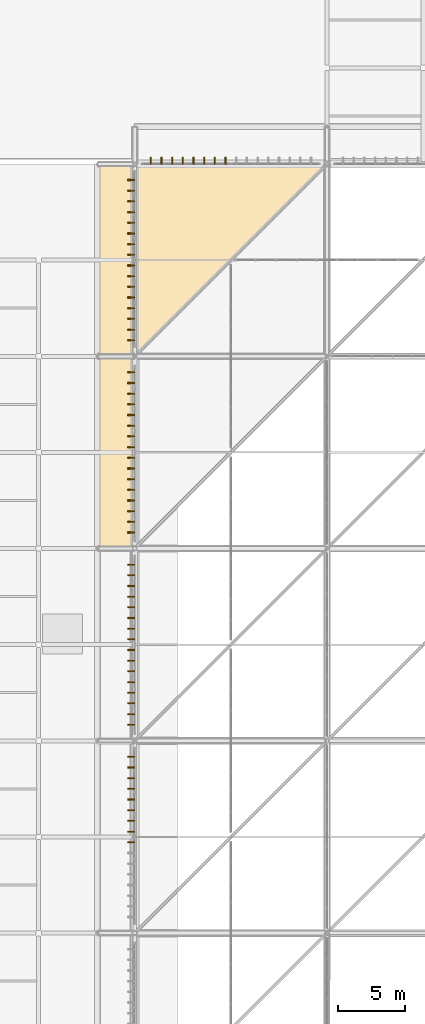
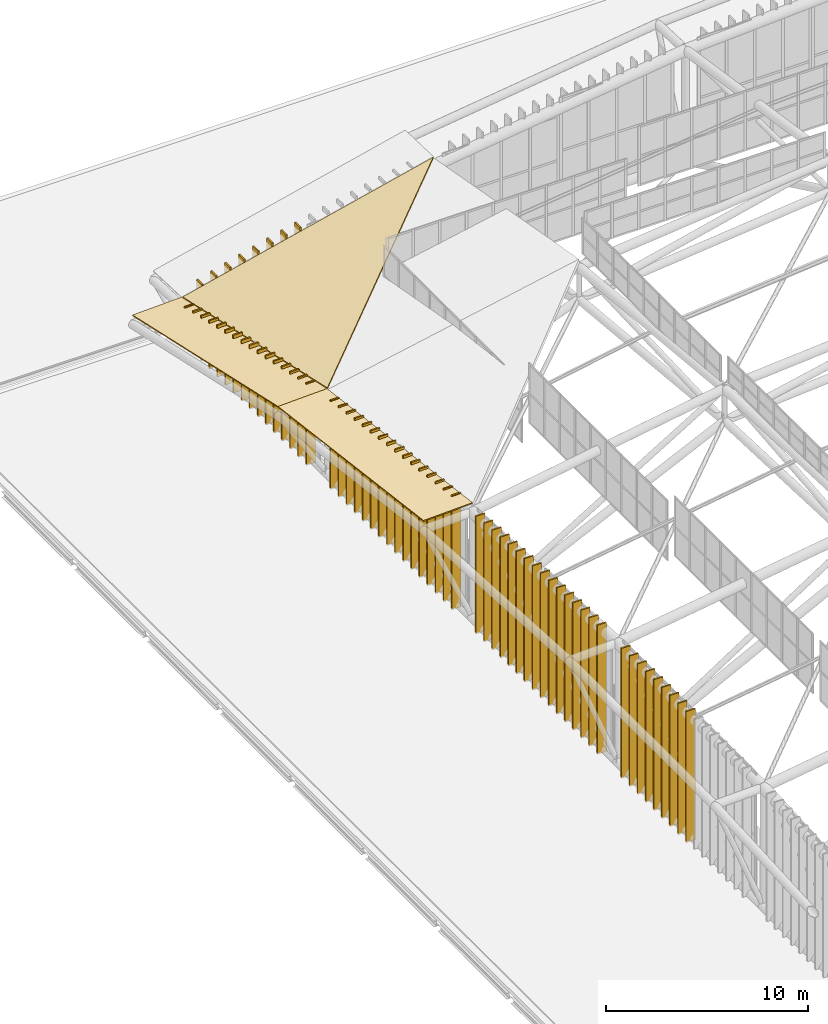
# One storey, part 392 of 397: 68 coverings.
"""IFC4 building model written with IfcOpenShell, lengths in metres."""

from ifc_helpers import new_model, si_unit, direction, frame, origin, origin_2d, place, context, subcontext, project, spatial, polyline, rectangle, outline, extrude, material, layer, layer_set, type_object, element, save


model = new_model("IFC4")

# Units and contexts
model_context = context("Model", 3, precision=1e-05, world=origin(), true_north=direction((0.0, 1.0)))
body_context = subcontext(model_context, "Body", "Model", "MODEL_VIEW")
ifc_project = project(units=[si_unit("LENGTHUNIT", "METRE"), si_unit("AREAUNIT", "SQUARE_METRE"), si_unit("VOLUMEUNIT", "CUBIC_METRE"), si_unit("PLANEANGLEUNIT", "RADIAN"), si_unit("MASSUNIT", "GRAM", prefix="KILO")], contexts=[model_context])

# Site, building, storey
site_placement = place(None, origin())
site = spatial("IfcSite", under=ifc_project, at=site_placement, CompositionType="ELEMENT")
building_placement = place(site_placement, origin())
building = spatial("IfcBuilding", under=site, at=building_placement, Name="Qandorah Velis Arena", CompositionType="ELEMENT")
storey_placement = place(building_placement, frame((0.0, 0.0, 27.5)))
storey = spatial("IfcBuildingStorey", under=building, at=storey_placement, Name="RF", CompositionType="ELEMENT", Elevation=27.5)

# Coverings
ifc_material_1 = material(Name="Champagne-bronze anodized aluminium 6063-T6", Category="aluminium")
ifc_layer_1 = layer(ifc_material_1, 0.0849609375)
ifc_layer_set_1 = layer_set([ifc_layer_1], Name="Champagne-bronze anodized aluminium 6063-T6")
covering_type_1 = type_object("IfcCoveringType", Name="ARC-COV-FIN520", PredefinedType="CLADDING", material=ifc_layer_set_1)
for number, where, z_axis, x_axis, name in (
    (1, (14.14501953125, 64.39990234375, -0.010009765625), (0.0, 0.0, 1.0), (1.0, 0.0, 0.0), "Arched crown champagne-bronze solar fin 1.4.8"),
    (2, (14.14501953125, 65.199951171875, -0.010009765625), (0.0, 0.0, 1.0), (1.0, 0.0, 0.0), "Arched crown champagne-bronze solar fin 1.4.9"),
):
    element("IfcCovering", number, at=place(storey_placement, frame(where, z_axis=z_axis, x_axis=x_axis)), inside=storey, type_object=covering_type_1, Name=name, PredefinedType="CLADDING", context=body_context, shape_type="SweptSolid", body=[
        extrude(rectangle(XDim=0.52001953125, YDim=0.0849609375, at=origin_2d()), origin(), (0.0, 0.0, 1.0), 7.92822265625),
    ])
covering_1_placement = place(storey_placement, frame((14.14501953125, 66.0, -0.010009765625), z_axis=(0.0, 0.0, 1.0), x_axis=(1.0, 0.0, 0.0)))
element("IfcCovering", 3, at=covering_1_placement, inside=storey, type_object=covering_type_1, Name="Arched crown champagne-bronze solar fin 1.4.10", PredefinedType="CLADDING", context=body_context, shape_type="SweptSolid", body=[
    extrude(rectangle(XDim=0.52001953125, YDim=0.0849609375, at=origin_2d()), origin(), (0.0, 0.0, 1.0), 7.92578125),
])
covering_2_placement = place(storey_placement, frame((14.14501953125, 66.800048828125, -0.01025390625), z_axis=(0.0, 0.0, 1.0), x_axis=(1.0, 0.0, 0.0)))
element("IfcCovering", 4, at=covering_2_placement, inside=storey, type_object=covering_type_1, Name="Arched crown champagne-bronze solar fin 1.4.11", PredefinedType="CLADDING", context=body_context, shape_type="SweptSolid", body=[
    extrude(rectangle(XDim=0.52001953125, YDim=0.0849609375, at=origin_2d()), origin(), (0.0, 0.0, 1.0), 7.921142578125),
])
covering_3_placement = place(storey_placement, frame((14.14501953125, 67.60009765625, -0.009765625), z_axis=(0.0, 0.0, 1.0), x_axis=(1.0, 0.0, 0.0)))
element("IfcCovering", 5, at=covering_3_placement, inside=storey, type_object=covering_type_1, Name="Arched crown champagne-bronze solar fin 1.4.12", PredefinedType="CLADDING", context=body_context, shape_type="SweptSolid", body=[
    extrude(rectangle(XDim=0.52001953125, YDim=0.0849609375, at=origin_2d()), origin(), (0.0, 0.0, 1.0), 7.913818359375),
])
covering_4_placement = place(storey_placement, frame((14.14501953125, 68.39990234375, -0.010009765625), z_axis=(0.0, 0.0, 1.0), x_axis=(1.0, 0.0, 0.0)))
element("IfcCovering", 6, at=covering_4_placement, inside=storey, type_object=covering_type_1, Name="Arched crown champagne-bronze solar fin 1.4.13", PredefinedType="CLADDING", context=body_context, shape_type="SweptSolid", body=[
    extrude(rectangle(XDim=0.52001953125, YDim=0.0849609375, at=origin_2d()), origin(), (0.0, 0.0, 1.0), 7.904296875),
])
covering_5_placement = place(storey_placement, frame((14.14501953125, 69.199951171875, -0.010009765625), z_axis=(0.0, 0.0, 1.0), x_axis=(1.0, 0.0, 0.0)))
element("IfcCovering", 7, at=covering_5_placement, inside=storey, type_object=covering_type_1, Name="Arched crown champagne-bronze solar fin 1.4.14", PredefinedType="CLADDING", context=body_context, shape_type="SweptSolid", body=[
    extrude(rectangle(XDim=0.52001953125, YDim=0.0849609375, at=origin_2d()), origin(), (0.0, 0.0, 1.0), 7.89208984375),
])
covering_6_placement = place(storey_placement, frame((14.14501953125, 70.0, -0.01025390625), z_axis=(0.0, 0.0, 1.0), x_axis=(1.0, 0.0, 0.0)))
element("IfcCovering", 8, at=covering_6_placement, inside=storey, type_object=covering_type_1, Name="Arched crown champagne-bronze solar fin 1.4.15", PredefinedType="CLADDING", context=body_context, shape_type="SweptSolid", body=[
    extrude(rectangle(XDim=0.52001953125, YDim=0.0849609375, at=origin_2d()), origin(), (0.0, 0.0, 1.0), 7.877685546875),
])
covering_7_placement = place(storey_placement, frame((14.14501953125, 70.800048828125, -0.009765625), z_axis=(0.0, 0.0, 1.0), x_axis=(1.0, 0.0, 0.0)))
element("IfcCovering", 9, at=covering_7_placement, inside=storey, type_object=covering_type_1, Name="Arched crown champagne-bronze solar fin 1.4.16", PredefinedType="CLADDING", context=body_context, shape_type="SweptSolid", body=[
    extrude(rectangle(XDim=0.52001953125, YDim=0.0849609375, at=origin_2d()), origin(), (0.0, 0.0, 1.0), 7.860595703125),
])
covering_8_placement = place(storey_placement, frame((14.14501953125, 73.199951171875, -0.010009765625), z_axis=(0.0, 0.0, 1.0), x_axis=(1.0, 0.0, 0.0)))
element("IfcCovering", 10, at=covering_8_placement, inside=storey, type_object=covering_type_1, Name="Arched crown champagne-bronze solar fin 1.5.1", PredefinedType="CLADDING", context=body_context, shape_type="SweptSolid", body=[
    extrude(rectangle(XDim=0.52001953125, YDim=0.0849609375, at=origin_2d()), origin(), (0.0, 0.0, 1.0), 7.794921875),
])
covering_9_placement = place(storey_placement, frame((14.14501953125, 74.0, -0.010009765625), z_axis=(0.0, 0.0, 1.0), x_axis=(1.0, 0.0, 0.0)))
element("IfcCovering", 11, at=covering_9_placement, inside=storey, type_object=covering_type_1, Name="Arched crown champagne-bronze solar fin 1.5.2", PredefinedType="CLADDING", context=body_context, shape_type="SweptSolid", body=[
    extrude(rectangle(XDim=0.52001953125, YDim=0.0849609375, at=origin_2d()), origin(), (0.0, 0.0, 1.0), 7.76806640625),
])
covering_10_placement = place(storey_placement, frame((14.14501953125, 74.800048828125, -0.010009765625), z_axis=(0.0, 0.0, 1.0), x_axis=(1.0, 0.0, 0.0)))
element("IfcCovering", 12, at=covering_10_placement, inside=storey, type_object=covering_type_1, Name="Arched crown champagne-bronze solar fin 1.5.3", PredefinedType="CLADDING", context=body_context, shape_type="SweptSolid", body=[
    extrude(rectangle(XDim=0.52001953125, YDim=0.0849609375, at=origin_2d()), origin(), (0.0, 0.0, 1.0), 7.73876953125),
])
covering_11_placement = place(storey_placement, frame((14.14501953125, 75.60009765625, -0.01025390625), z_axis=(0.0, 0.0, 1.0), x_axis=(1.0, 0.0, 0.0)))
element("IfcCovering", 13, at=covering_11_placement, inside=storey, type_object=covering_type_1, Name="Arched crown champagne-bronze solar fin 1.5.4", PredefinedType="CLADDING", context=body_context, shape_type="SweptSolid", body=[
    extrude(rectangle(XDim=0.52001953125, YDim=0.0849609375, at=origin_2d()), origin(), (0.0, 0.0, 1.0), 7.706787109375),
])
covering_12_placement = place(storey_placement, frame((14.14501953125, 76.39990234375, -0.01025390625), z_axis=(0.0, 0.0, 1.0), x_axis=(1.0, 0.0, 0.0)))
element("IfcCovering", 14, at=covering_12_placement, inside=storey, type_object=covering_type_1, Name="Arched crown champagne-bronze solar fin 1.5.5", PredefinedType="CLADDING", context=body_context, shape_type="SweptSolid", body=[
    extrude(rectangle(XDim=0.52001953125, YDim=0.0849609375, at=origin_2d()), origin(), (0.0, 0.0, 1.0), 7.672119140625),
])
covering_13_placement = place(storey_placement, frame((14.14501953125, 77.199951171875, -0.01025390625), z_axis=(0.0, 0.0, 1.0), x_axis=(1.0, 0.0, 0.0)))
element("IfcCovering", 15, at=covering_13_placement, inside=storey, type_object=covering_type_1, Name="Arched crown champagne-bronze solar fin 1.5.6", PredefinedType="CLADDING", context=body_context, shape_type="SweptSolid", body=[
    extrude(rectangle(XDim=0.52001953125, YDim=0.0849609375, at=origin_2d()), origin(), (0.0, 0.0, 1.0), 7.635009765625),
])
covering_14_placement = place(storey_placement, frame((14.14501953125, 78.0, -0.009765625), z_axis=(0.0, 0.0, 1.0), x_axis=(1.0, 0.0, 0.0)))
element("IfcCovering", 16, at=covering_14_placement, inside=storey, type_object=covering_type_1, Name="Arched crown champagne-bronze solar fin 1.5.7", PredefinedType="CLADDING", context=body_context, shape_type="SweptSolid", body=[
    extrude(rectangle(XDim=0.52001953125, YDim=0.0849609375, at=origin_2d()), origin(), (0.0, 0.0, 1.0), 7.594970703125),
])
covering_15_placement = place(storey_placement, frame((14.14501953125, 78.800048828125, -0.01025390625), z_axis=(0.0, 0.0, 1.0), x_axis=(1.0, 0.0, 0.0)))
element("IfcCovering", 17, at=covering_15_placement, inside=storey, type_object=covering_type_1, Name="Arched crown champagne-bronze solar fin 1.5.8", PredefinedType="CLADDING", context=body_context, shape_type="SweptSolid", body=[
    extrude(rectangle(XDim=0.52001953125, YDim=0.0849609375, at=origin_2d()), origin(), (0.0, 0.0, 1.0), 7.552490234375),
])
covering_16_placement = place(storey_placement, frame((14.14501953125, 79.60009765625, -0.010009765625), z_axis=(0.0, 0.0, 1.0), x_axis=(1.0, 0.0, 0.0)))
element("IfcCovering", 18, at=covering_16_placement, inside=storey, type_object=covering_type_1, Name="Arched crown champagne-bronze solar fin 1.5.9", PredefinedType="CLADDING", context=body_context, shape_type="SweptSolid", body=[
    extrude(rectangle(XDim=0.52001953125, YDim=0.0849609375, at=origin_2d()), origin(), (0.0, 0.0, 1.0), 7.50732421875),
])
covering_17_placement = place(storey_placement, frame((14.14501953125, 80.39990234375, -0.010009765625), z_axis=(0.0, 0.0, 1.0), x_axis=(1.0, 0.0, 0.0)))
element("IfcCovering", 19, at=covering_17_placement, inside=storey, type_object=covering_type_1, Name="Arched crown champagne-bronze solar fin 1.5.10", PredefinedType="CLADDING", context=body_context, shape_type="SweptSolid", body=[
    extrude(rectangle(XDim=0.52001953125, YDim=0.0849609375, at=origin_2d()), origin(), (0.0, 0.0, 1.0), 7.45947265625),
])
covering_18_placement = place(storey_placement, frame((14.14501953125, 81.199951171875, -0.010009765625), z_axis=(0.0, 0.0, 1.0), x_axis=(1.0, 0.0, 0.0)))
element("IfcCovering", 20, at=covering_18_placement, inside=storey, type_object=covering_type_1, Name="Arched crown champagne-bronze solar fin 1.5.11", PredefinedType="CLADDING", context=body_context, shape_type="SweptSolid", body=[
    extrude(rectangle(XDim=0.52001953125, YDim=0.0849609375, at=origin_2d()), origin(), (0.0, 0.0, 1.0), 7.40869140625),
])
covering_19_placement = place(storey_placement, frame((14.14501953125, 82.0, -0.010009765625), z_axis=(0.0, 0.0, 1.0), x_axis=(1.0, 0.0, 0.0)))
element("IfcCovering", 21, at=covering_19_placement, inside=storey, type_object=covering_type_1, Name="Arched crown champagne-bronze solar fin 1.5.12", PredefinedType="CLADDING", context=body_context, shape_type="SweptSolid", body=[
    extrude(rectangle(XDim=0.52001953125, YDim=0.0849609375, at=origin_2d()), origin(), (0.0, 0.0, 1.0), 7.35498046875),
])
covering_20_placement = place(storey_placement, frame((14.14501953125, 82.800048828125, -0.009765625), z_axis=(0.0, 0.0, 1.0), x_axis=(1.0, 0.0, 0.0)))
element("IfcCovering", 22, at=covering_20_placement, inside=storey, type_object=covering_type_1, Name="Arched crown champagne-bronze solar fin 1.5.13", PredefinedType="CLADDING", context=body_context, shape_type="SweptSolid", body=[
    extrude(rectangle(XDim=0.52001953125, YDim=0.0849609375, at=origin_2d()), origin(), (0.0, 0.0, 1.0), 7.298583984375),
])
covering_21_placement = place(storey_placement, frame((14.14501953125, 83.60009765625, -0.01025390625), z_axis=(0.0, 0.0, 1.0), x_axis=(1.0, 0.0, 0.0)))
element("IfcCovering", 23, at=covering_21_placement, inside=storey, type_object=covering_type_1, Name="Arched crown champagne-bronze solar fin 1.5.14", PredefinedType="CLADDING", context=body_context, shape_type="SweptSolid", body=[
    extrude(rectangle(XDim=0.52001953125, YDim=0.0849609375, at=origin_2d()), origin(), (0.0, 0.0, 1.0), 7.239501953125),
])
covering_22_placement = place(storey_placement, frame((14.14501953125, 84.39990234375, -0.009765625), z_axis=(0.0, 0.0, 1.0), x_axis=(1.0, 0.0, 0.0)))
element("IfcCovering", 24, at=covering_22_placement, inside=storey, type_object=covering_type_1, Name="Arched crown champagne-bronze solar fin 1.5.15", PredefinedType="CLADDING", context=body_context, shape_type="SweptSolid", body=[
    extrude(rectangle(XDim=0.52001953125, YDim=0.0849609375, at=origin_2d()), origin(), (0.0, 0.0, 1.0), 7.177001953125),
])
covering_23_placement = place(storey_placement, frame((14.14501953125, 85.199951171875, -0.010009765625), z_axis=(0.0, 0.0, 1.0), x_axis=(1.0, 0.0, 0.0)))
element("IfcCovering", 25, at=covering_23_placement, inside=storey, type_object=covering_type_1, Name="Arched crown champagne-bronze solar fin 1.5.16", PredefinedType="CLADDING", context=body_context, shape_type="SweptSolid", body=[
    extrude(rectangle(XDim=0.52001953125, YDim=0.0849609375, at=origin_2d()), origin(), (0.0, 0.0, 1.0), 7.11181640625),
])
covering_24_placement = place(storey_placement, frame((14.14501953125, 87.60009765625, -0.009765625), z_axis=(0.0, 0.0, 1.0), x_axis=(1.0, 0.0, 0.0)))
element("IfcCovering", 26, at=covering_24_placement, inside=storey, type_object=covering_type_1, Name="Arched crown champagne-bronze solar fin 1.6.1", PredefinedType="CLADDING", context=body_context, shape_type="SweptSolid", body=[
    extrude(rectangle(XDim=0.52001953125, YDim=0.0849609375, at=origin_2d()), origin(), (0.0, 0.0, 1.0), 6.897705078125),
])
covering_25_placement = place(storey_placement, frame((14.14501953125, 88.39990234375, -0.010009765625), z_axis=(0.0, 0.0, 1.0), x_axis=(1.0, 0.0, 0.0)))
element("IfcCovering", 27, at=covering_25_placement, inside=storey, type_object=covering_type_1, Name="Arched crown champagne-bronze solar fin 1.6.2", PredefinedType="CLADDING", context=body_context, shape_type="SweptSolid", body=[
    extrude(rectangle(XDim=0.52001953125, YDim=0.0849609375, at=origin_2d()), origin(), (0.0, 0.0, 1.0), 6.8203125),
])
covering_26_placement = place(storey_placement, frame((14.14501953125, 89.199951171875, -0.010009765625), z_axis=(0.0, 0.0, 1.0), x_axis=(1.0, 0.0, 0.0)))
element("IfcCovering", 28, at=covering_26_placement, inside=storey, type_object=covering_type_1, Name="Arched crown champagne-bronze solar fin 1.6.3", PredefinedType="CLADDING", context=body_context, shape_type="SweptSolid", body=[
    extrude(rectangle(XDim=0.52001953125, YDim=0.0849609375, at=origin_2d()), origin(), (0.0, 0.0, 1.0), 6.7392578125),
])
covering_27_placement = place(storey_placement, frame((14.14501953125, 90.0, -0.010009765625), z_axis=(0.0, 0.0, 1.0), x_axis=(1.0, 0.0, 0.0)))
element("IfcCovering", 29, at=covering_27_placement, inside=storey, type_object=covering_type_1, Name="Arched crown champagne-bronze solar fin 1.6.4", PredefinedType="CLADDING", context=body_context, shape_type="SweptSolid", body=[
    extrude(rectangle(XDim=0.52001953125, YDim=0.0849609375, at=origin_2d()), origin(), (0.0, 0.0, 1.0), 6.6552734375),
])
covering_28_placement = place(storey_placement, frame((14.14501953125, 90.800048828125, -0.01025390625), z_axis=(0.0, 0.0, 1.0), x_axis=(1.0, 0.0, 0.0)))
element("IfcCovering", 30, at=covering_28_placement, inside=storey, type_object=covering_type_1, Name="Arched crown champagne-bronze solar fin 1.6.5", PredefinedType="CLADDING", context=body_context, shape_type="SweptSolid", body=[
    extrude(rectangle(XDim=0.52001953125, YDim=0.0849609375, at=origin_2d()), origin(), (0.0, 0.0, 1.0), 6.567626953125),
])
covering_29_placement = place(storey_placement, frame((14.14501953125, 91.60009765625, -0.009765625), z_axis=(0.0, 0.0, 1.0), x_axis=(1.0, 0.0, 0.0)))
element("IfcCovering", 31, at=covering_29_placement, inside=storey, type_object=covering_type_1, Name="Arched crown champagne-bronze solar fin 1.6.6", PredefinedType="CLADDING", context=body_context, shape_type="SweptSolid", body=[
    extrude(rectangle(XDim=0.52001953125, YDim=0.0849609375, at=origin_2d()), origin(), (0.0, 0.0, 1.0), 6.476806640625),
])
covering_30_placement = place(storey_placement, frame((14.14501953125, 92.39990234375, -0.01025390625), z_axis=(0.0, 0.0, 1.0), x_axis=(1.0, 0.0, 0.0)))
element("IfcCovering", 32, at=covering_30_placement, inside=storey, type_object=covering_type_1, Name="Arched crown champagne-bronze solar fin 1.6.7", PredefinedType="CLADDING", context=body_context, shape_type="SweptSolid", body=[
    extrude(rectangle(XDim=0.52001953125, YDim=0.0849609375, at=origin_2d()), origin(), (0.0, 0.0, 1.0), 6.382568359375),
])
covering_31_placement = place(storey_placement, frame((14.14501953125, 93.199951171875, -0.010009765625), z_axis=(0.0, 0.0, 1.0), x_axis=(1.0, 0.0, 0.0)))
element("IfcCovering", 33, at=covering_31_placement, inside=storey, type_object=covering_type_1, Name="Arched crown champagne-bronze solar fin 1.6.8", PredefinedType="CLADDING", context=body_context, shape_type="SweptSolid", body=[
    extrude(rectangle(XDim=0.52001953125, YDim=0.0849609375, at=origin_2d()), origin(), (0.0, 0.0, 1.0), 6.28466796875),
])
covering_32_placement = place(storey_placement, frame((14.14501953125, 94.0, -0.01025390625), z_axis=(0.0, 0.0, 1.0), x_axis=(1.0, 0.0, 0.0)))
element("IfcCovering", 34, at=covering_32_placement, inside=storey, type_object=covering_type_1, Name="Arched crown champagne-bronze solar fin 1.6.9", PredefinedType="CLADDING", context=body_context, shape_type="SweptSolid", body=[
    extrude(rectangle(XDim=0.52001953125, YDim=0.0849609375, at=origin_2d()), origin(), (0.0, 0.0, 1.0), 6.183349609375),
])
covering_33_placement = place(storey_placement, frame((14.14501953125, 94.800048828125, -0.010009765625), z_axis=(0.0, 0.0, 1.0), x_axis=(1.0, 0.0, 0.0)))
element("IfcCovering", 35, at=covering_33_placement, inside=storey, type_object=covering_type_1, Name="Arched crown champagne-bronze solar fin 1.6.10", PredefinedType="CLADDING", context=body_context, shape_type="SweptSolid", body=[
    extrude(rectangle(XDim=0.52001953125, YDim=0.0849609375, at=origin_2d()), origin(), (0.0, 0.0, 1.0), 6.078125),
])
covering_34_placement = place(storey_placement, frame((14.14501953125, 95.60009765625, -0.009765625), z_axis=(0.0, 0.0, 1.0), x_axis=(1.0, 0.0, 0.0)))
element("IfcCovering", 36, at=covering_34_placement, inside=storey, type_object=covering_type_1, Name="Arched crown champagne-bronze solar fin 1.6.11", PredefinedType="CLADDING", context=body_context, shape_type="SweptSolid", body=[
    extrude(rectangle(XDim=0.52001953125, YDim=0.0849609375, at=origin_2d()), origin(), (0.0, 0.0, 1.0), 5.969482421875),
])
covering_35_placement = place(storey_placement, frame((14.14501953125, 96.39990234375, -0.010009765625), z_axis=(0.0, 0.0, 1.0), x_axis=(1.0, 0.0, 0.0)))
element("IfcCovering", 37, at=covering_35_placement, inside=storey, type_object=covering_type_1, Name="Arched crown champagne-bronze solar fin 1.6.12", PredefinedType="CLADDING", context=body_context, shape_type="SweptSolid", body=[
    extrude(rectangle(XDim=0.52001953125, YDim=0.0849609375, at=origin_2d()), origin(), (0.0, 0.0, 1.0), 5.85693359375),
])
covering_36_placement = place(storey_placement, frame((14.14501953125, 97.199951171875, -0.010009765625), z_axis=(0.0, 0.0, 1.0), x_axis=(1.0, 0.0, 0.0)))
element("IfcCovering", 38, at=covering_36_placement, inside=storey, type_object=covering_type_1, Name="Arched crown champagne-bronze solar fin 1.6.13", PredefinedType="CLADDING", context=body_context, shape_type="SweptSolid", body=[
    extrude(rectangle(XDim=0.52001953125, YDim=0.0849609375, at=origin_2d()), origin(), (0.0, 0.0, 1.0), 5.74072265625),
])
covering_37_placement = place(storey_placement, frame((14.14501953125, 98.0, -0.010009765625), z_axis=(0.0, 0.0, 1.0), x_axis=(1.0, 0.0, 0.0)))
element("IfcCovering", 39, at=covering_37_placement, inside=storey, type_object=covering_type_1, Name="Arched crown champagne-bronze solar fin 1.6.14", PredefinedType="CLADDING", context=body_context, shape_type="SweptSolid", body=[
    extrude(rectangle(XDim=0.52001953125, YDim=0.0849609375, at=origin_2d()), origin(), (0.0, 0.0, 1.0), 5.62060546875),
])
covering_38_placement = place(storey_placement, frame((14.14501953125, 98.800048828125, -0.009765625), z_axis=(0.0, 0.0, 1.0), x_axis=(1.0, 0.0, 0.0)))
element("IfcCovering", 40, at=covering_38_placement, inside=storey, type_object=covering_type_1, Name="Arched crown champagne-bronze solar fin 1.6.15", PredefinedType="CLADDING", context=body_context, shape_type="SweptSolid", body=[
    extrude(rectangle(XDim=0.52001953125, YDim=0.0849609375, at=origin_2d()), origin(), (0.0, 0.0, 1.0), 5.496337890625),
])
covering_39_placement = place(storey_placement, frame((14.14501953125, 99.60009765625, -0.010009765625), z_axis=(0.0, 0.0, 1.0), x_axis=(1.0, 0.0, 0.0)))
element("IfcCovering", 41, at=covering_39_placement, inside=storey, type_object=covering_type_1, Name="Arched crown champagne-bronze solar fin 1.6.16", PredefinedType="CLADDING", context=body_context, shape_type="SweptSolid", body=[
    extrude(rectangle(XDim=0.52001953125, YDim=0.0849609375, at=origin_2d()), origin(), (0.0, 0.0, 1.0), 5.3681640625),
])
covering_40_placement = place(storey_placement, frame((14.14501953125, 102.0, -0.010009765625), z_axis=(0.0, 0.0, 1.0), x_axis=(1.0, 0.0, 0.0)))
element("IfcCovering", 42, at=covering_40_placement, inside=storey, type_object=covering_type_1, Name="Arched crown champagne-bronze solar fin 1.7.1", PredefinedType="CLADDING", context=body_context, shape_type="SweptSolid", body=[
    extrude(rectangle(XDim=0.52001953125, YDim=0.0849609375, at=origin_2d()), origin(), (0.0, 0.0, 1.0), 4.958984375),
])
covering_41_placement = place(storey_placement, frame((14.14501953125, 102.800048828125, -0.010009765625), z_axis=(0.0, 0.0, 1.0), x_axis=(1.0, 0.0, 0.0)))
element("IfcCovering", 43, at=covering_41_placement, inside=storey, type_object=covering_type_1, Name="Arched crown champagne-bronze solar fin 1.7.2", PredefinedType="CLADDING", context=body_context, shape_type="SweptSolid", body=[
    extrude(rectangle(XDim=0.52001953125, YDim=0.0849609375, at=origin_2d()), origin(), (0.0, 0.0, 1.0), 4.81396484375),
])
covering_42_placement = place(storey_placement, frame((14.14501953125, 103.60009765625, -0.010009765625), z_axis=(0.0, 0.0, 1.0), x_axis=(1.0, 0.0, 0.0)))
element("IfcCovering", 44, at=covering_42_placement, inside=storey, type_object=covering_type_1, Name="Arched crown champagne-bronze solar fin 1.7.3", PredefinedType="CLADDING", context=body_context, shape_type="SweptSolid", body=[
    extrude(rectangle(XDim=0.52001953125, YDim=0.0849609375, at=origin_2d()), origin(), (0.0, 0.0, 1.0), 4.66455078125),
])
covering_43_placement = place(storey_placement, frame((14.14501953125, 104.39990234375, -0.010009765625), z_axis=(0.0, 0.0, 1.0), x_axis=(1.0, 0.0, 0.0)))
element("IfcCovering", 45, at=covering_43_placement, inside=storey, type_object=covering_type_1, Name="Arched crown champagne-bronze solar fin 1.7.4", PredefinedType="CLADDING", context=body_context, shape_type="SweptSolid", body=[
    extrude(rectangle(XDim=0.52001953125, YDim=0.0849609375, at=origin_2d()), origin(), (0.0, 0.0, 1.0), 4.5107421875),
])
covering_44_placement = place(storey_placement, frame((14.14501953125, 105.199951171875, -0.010009765625), z_axis=(0.0, 0.0, 1.0), x_axis=(1.0, 0.0, 0.0)))
element("IfcCovering", 46, at=covering_44_placement, inside=storey, type_object=covering_type_1, Name="Arched crown champagne-bronze solar fin 1.7.5", PredefinedType="CLADDING", context=body_context, shape_type="SweptSolid", body=[
    extrude(rectangle(XDim=0.52001953125, YDim=0.0849609375, at=origin_2d()), origin(), (0.0, 0.0, 1.0), 4.3525390625),
])
covering_45_placement = place(storey_placement, frame((14.14501953125, 106.0, -0.01025390625), z_axis=(0.0, 0.0, 1.0), x_axis=(1.0, 0.0, 0.0)))
element("IfcCovering", 47, at=covering_45_placement, inside=storey, type_object=covering_type_1, Name="Arched crown champagne-bronze solar fin 1.7.6", PredefinedType="CLADDING", context=body_context, shape_type="SweptSolid", body=[
    extrude(rectangle(XDim=0.52001953125, YDim=0.0849609375, at=origin_2d()), origin(), (0.0, 0.0, 1.0), 4.189697265625),
])
covering_46_placement = place(storey_placement, frame((14.14501953125, 106.800048828125, -0.010009765625), z_axis=(0.0, 0.0, 1.0), x_axis=(1.0, 0.0, 0.0)))
element("IfcCovering", 48, at=covering_46_placement, inside=storey, type_object=covering_type_1, Name="Arched crown champagne-bronze solar fin 1.7.7", PredefinedType="CLADDING", context=body_context, shape_type="SweptSolid", body=[
    extrude(rectangle(XDim=0.52001953125, YDim=0.0849609375, at=origin_2d()), origin(), (0.0, 0.0, 1.0), 4.02197265625),
])
covering_47_placement = place(storey_placement, frame((14.14501953125, 107.60009765625, -0.010009765625), z_axis=(0.0, 0.0, 1.0), x_axis=(1.0, 0.0, 0.0)))
element("IfcCovering", 49, at=covering_47_placement, inside=storey, type_object=covering_type_1, Name="Arched crown champagne-bronze solar fin 1.7.8", PredefinedType="CLADDING", context=body_context, shape_type="SweptSolid", body=[
    extrude(rectangle(XDim=0.52001953125, YDim=0.0849609375, at=origin_2d()), origin(), (0.0, 0.0, 1.0), 3.849609375),
])
covering_48_placement = place(storey_placement, frame((14.14501953125, 108.39990234375, -0.01025390625), z_axis=(0.0, 0.0, 1.0), x_axis=(1.0, 0.0, 0.0)))
element("IfcCovering", 50, at=covering_48_placement, inside=storey, type_object=covering_type_1, Name="Arched crown champagne-bronze solar fin 1.7.9", PredefinedType="CLADDING", context=body_context, shape_type="SweptSolid", body=[
    extrude(rectangle(XDim=0.52001953125, YDim=0.0849609375, at=origin_2d()), origin(), (0.0, 0.0, 1.0), 3.672607421875),
])
covering_49_placement = place(storey_placement, frame((14.14501953125, 109.199951171875, -0.01025390625), z_axis=(0.0, 0.0, 1.0), x_axis=(1.0, 0.0, 0.0)))
element("IfcCovering", 51, at=covering_49_placement, inside=storey, type_object=covering_type_1, Name="Arched crown champagne-bronze solar fin 1.7.10", PredefinedType="CLADDING", context=body_context, shape_type="SweptSolid", body=[
    extrude(rectangle(XDim=0.52001953125, YDim=0.0849609375, at=origin_2d()), origin(), (0.0, 0.0, 1.0), 3.490478515625),
])
covering_50_placement = place(storey_placement, frame((14.14501953125, 110.0, -0.010009765625), z_axis=(0.0, 0.0, 1.0), x_axis=(1.0, 0.0, 0.0)))
element("IfcCovering", 52, at=covering_50_placement, inside=storey, type_object=covering_type_1, Name="Arched crown champagne-bronze solar fin 1.7.11", PredefinedType="CLADDING", context=body_context, shape_type="SweptSolid", body=[
    extrude(rectangle(XDim=0.52001953125, YDim=0.0849609375, at=origin_2d()), origin(), (0.0, 0.0, 1.0), 3.30322265625),
])
covering_51_placement = place(storey_placement, frame((14.14501953125, 110.800048828125, -0.01025390625), z_axis=(0.0, 0.0, 1.0), x_axis=(1.0, 0.0, 0.0)))
element("IfcCovering", 53, at=covering_51_placement, inside=storey, type_object=covering_type_1, Name="Arched crown champagne-bronze solar fin 1.7.12", PredefinedType="CLADDING", context=body_context, shape_type="SweptSolid", body=[
    extrude(rectangle(XDim=0.52001953125, YDim=0.0849609375, at=origin_2d()), origin(), (0.0, 0.0, 1.0), 3.111083984375),
])
covering_52_placement = place(storey_placement, frame((14.14501953125, 111.60009765625, -0.009765625), z_axis=(0.0, 0.0, 1.0), x_axis=(1.0, 0.0, 0.0)))
element("IfcCovering", 54, at=covering_52_placement, inside=storey, type_object=covering_type_1, Name="Arched crown champagne-bronze solar fin 1.7.13", PredefinedType="CLADDING", context=body_context, shape_type="SweptSolid", body=[
    extrude(rectangle(XDim=0.52001953125, YDim=0.0849609375, at=origin_2d()), origin(), (0.0, 0.0, 1.0), 2.913818359375),
])
covering_53_placement = place(storey_placement, frame((14.14501953125, 112.39990234375, -0.009765625), z_axis=(0.0, 0.0, 1.0), x_axis=(1.0, 0.0, 0.0)))
element("IfcCovering", 55, at=covering_53_placement, inside=storey, type_object=covering_type_1, Name="Arched crown champagne-bronze solar fin 1.7.14", PredefinedType="CLADDING", context=body_context, shape_type="SweptSolid", body=[
    extrude(rectangle(XDim=0.52001953125, YDim=0.0849609375, at=origin_2d()), origin(), (0.0, 0.0, 1.0), 2.711181640625),
])
covering_54_placement = place(storey_placement, frame((14.14501953125, 113.199951171875, -0.010009765625), z_axis=(0.0, 0.0, 1.0), x_axis=(1.0, 0.0, 0.0)))
element("IfcCovering", 56, at=covering_54_placement, inside=storey, type_object=covering_type_1, Name="Arched crown champagne-bronze solar fin 1.7.15", PredefinedType="CLADDING", context=body_context, shape_type="SweptSolid", body=[
    extrude(rectangle(XDim=0.52001953125, YDim=0.0849609375, at=origin_2d()), origin(), (0.0, 0.0, 1.0), 2.50341796875),
])
covering_55_placement = place(storey_placement, frame((14.14501953125, 114.0, -0.01025390625), z_axis=(0.0, 0.0, 1.0), x_axis=(1.0, 0.0, 0.0)))
element("IfcCovering", 57, at=covering_55_placement, inside=storey, type_object=covering_type_1, Name="Arched crown champagne-bronze solar fin 1.7.16", PredefinedType="CLADDING", context=body_context, shape_type="SweptSolid", body=[
    extrude(rectangle(XDim=0.52001953125, YDim=0.0849609375, at=origin_2d()), origin(), (0.0, 0.0, 1.0), 2.290283203125),
])
covering_56_placement = place(storey_placement, frame((15.60009765625, 115.455078125, -0.010009765625), z_axis=(0.0, 0.0, 1.0), x_axis=(1.0, 0.0, 0.0)))
element("IfcCovering", 58, at=covering_56_placement, inside=storey, type_object=covering_type_1, Name="Arched crown champagne-bronze solar fin 4.1.1", PredefinedType="CLADDING", context=body_context, shape_type="SweptSolid", body=[
    extrude(rectangle(XDim=0.0849609375, YDim=0.52001953125, at=origin_2d()), origin(), (0.0, 0.0, 1.0), 2.3173828125),
])
covering_57_placement = place(storey_placement, frame((16.39990234375, 115.455078125, -0.009765625), z_axis=(0.0, 0.0, 1.0), x_axis=(1.0, 0.0, 0.0)))
element("IfcCovering", 59, at=covering_57_placement, inside=storey, type_object=covering_type_1, Name="Arched crown champagne-bronze solar fin 4.1.2", PredefinedType="CLADDING", context=body_context, shape_type="SweptSolid", body=[
    extrude(rectangle(XDim=0.0849609375, YDim=0.52001953125, at=origin_2d()), origin(), (0.0, 0.0, 1.0), 2.548095703125),
])
covering_58_placement = place(storey_placement, frame((17.199951171875, 115.455078125, -0.009765625), z_axis=(0.0, 0.0, 1.0), x_axis=(1.0, 0.0, 0.0)))
element("IfcCovering", 60, at=covering_58_placement, inside=storey, type_object=covering_type_1, Name="Arched crown champagne-bronze solar fin 4.1.3", PredefinedType="CLADDING", context=body_context, shape_type="SweptSolid", body=[
    extrude(rectangle(XDim=0.0849609375, YDim=0.52001953125, at=origin_2d()), origin(), (0.0, 0.0, 1.0), 2.772705078125),
])
covering_59_placement = place(storey_placement, frame((18.0, 115.455078125, -0.010009765625), z_axis=(0.0, 0.0, 1.0), x_axis=(1.0, 0.0, 0.0)))
element("IfcCovering", 61, at=covering_59_placement, inside=storey, type_object=covering_type_1, Name="Arched crown champagne-bronze solar fin 4.1.4", PredefinedType="CLADDING", context=body_context, shape_type="SweptSolid", body=[
    extrude(rectangle(XDim=0.0849609375, YDim=0.52001953125, at=origin_2d()), origin(), (0.0, 0.0, 1.0), 2.99169921875),
])
covering_60_placement = place(storey_placement, frame((18.800048828125, 115.455078125, -0.010009765625), z_axis=(0.0, 0.0, 1.0), x_axis=(1.0, 0.0, 0.0)))
element("IfcCovering", 62, at=covering_60_placement, inside=storey, type_object=covering_type_1, Name="Arched crown champagne-bronze solar fin 4.1.5", PredefinedType="CLADDING", context=body_context, shape_type="SweptSolid", body=[
    extrude(rectangle(XDim=0.0849609375, YDim=0.52001953125, at=origin_2d()), origin(), (0.0, 0.0, 1.0), 3.20458984375),
])
covering_61_placement = place(storey_placement, frame((19.60009765625, 115.455078125, -0.010009765625), z_axis=(0.0, 0.0, 1.0), x_axis=(1.0, 0.0, 0.0)))
element("IfcCovering", 63, at=covering_61_placement, inside=storey, type_object=covering_type_1, Name="Arched crown champagne-bronze solar fin 4.1.6", PredefinedType="CLADDING", context=body_context, shape_type="SweptSolid", body=[
    extrude(rectangle(XDim=0.0849609375, YDim=0.52001953125, at=origin_2d()), origin(), (0.0, 0.0, 1.0), 3.41162109375),
])
covering_62_placement = place(storey_placement, frame((20.39990234375, 115.455078125, -0.010009765625), z_axis=(0.0, 0.0, 1.0), x_axis=(1.0, 0.0, 0.0)))
element("IfcCovering", 64, at=covering_62_placement, inside=storey, type_object=covering_type_1, Name="Arched crown champagne-bronze solar fin 4.1.7", PredefinedType="CLADDING", context=body_context, shape_type="SweptSolid", body=[
    extrude(rectangle(XDim=0.0849609375, YDim=0.52001953125, at=origin_2d()), origin(), (0.0, 0.0, 1.0), 3.61328125),
])
covering_63_placement = place(storey_placement, frame((21.199951171875, 115.455078125, -0.010009765625), z_axis=(0.0, 0.0, 1.0), x_axis=(1.0, 0.0, 0.0)))
element("IfcCovering", 65, at=covering_63_placement, inside=storey, type_object=covering_type_1, Name="Arched crown champagne-bronze solar fin 4.1.8", PredefinedType="CLADDING", context=body_context, shape_type="SweptSolid", body=[
    extrude(rectangle(XDim=0.0849609375, YDim=0.52001953125, at=origin_2d()), origin(), (0.0, 0.0, 1.0), 3.80908203125),
])
ifc_material_2 = material(Name="Insulated high-albedo standing-seam aluminium roofing", Category="aluminium")
ifc_layer_2 = layer(ifc_material_2, 0.080078125)
ifc_layer_set_2 = layer_set([ifc_layer_2], Name="Insulated high-albedo standing-seam aluminium roofing")
covering_type_2 = type_object("IfcCoveringType", Name="ARC-COV-ROOF", PredefinedType="ROOFING", material=ifc_layer_set_2)
covering_64_placement = place(storey_placement, frame((11.60009765625, 86.39990234375, 6.8984375), z_axis=(-0.035354687403, 0.126672702265, 0.991314315734), x_axis=(0.999364629289, 0.0, 0.035641797469)))
element("IfcCovering", 66, at=covering_64_placement, inside=storey, type_object=covering_type_2, Name="Overhanging arena eave roof panel W-6", PredefinedType="ROOFING", context=body_context, shape_type="SweptSolid", body=[
    extrude(outline(polyline([(0.0, 0.0), (2.801584732384449, 0.0), (2.736000692460904, 14.517087894973624), (-0.06558403992354532, 14.517087894973624), (0.0, 0.0)])), origin(), (0.0, 0.0, -1.0), 0.06005859375),
])
covering_65_placement = place(storey_placement, frame((11.60009765625, 100.800048828125, 5.058349609375), z_axis=(-0.034789868469, 0.217333204498, 0.975477289984), x_axis=(0.999364629289, 0.0, 0.035641797469)))
element("IfcCovering", 67, at=covering_65_placement, inside=storey, type_object=covering_type_2, Name="Overhanging arena eave roof panel W-7", PredefinedType="ROOFING", context=body_context, shape_type="SweptSolid", body=[
    extrude(outline(polyline([(0.0, 0.0), (2.801584732384449, 0.0), (2.687236866040372, 14.75252495912919), (-0.11434786634407708, 14.75252495912919), (0.0, 0.0)])), origin(), (0.0, 0.0, -1.0), 0.06005859375),
])
covering_66_placement = place(storey_placement, frame((14.43994140625, 100.840087890625, 5.161865234375), z_axis=(-0.227700898829, 0.211629977155, 0.950455182238), x_axis=(0.707062249385, 0.707050194791, 0.011958157896)))
element("IfcCovering", 68, at=covering_66_placement, inside=storey, type_object=covering_type_2, Name="Arena vaulted roof covering 0.6B", PredefinedType="ROOFING", context=body_context, shape_type="SweptSolid", body=[
    extrude(outline(polyline([(0.0, 0.0), (20.25291036513588, -3.0808688933348094e-15), (10.086706197055152, 10.652798061532943), (0.0, 0.0)])), origin(), (0.0, 0.0, -1.0), 0.054931640625),
])

save(model, "model.ifc")
